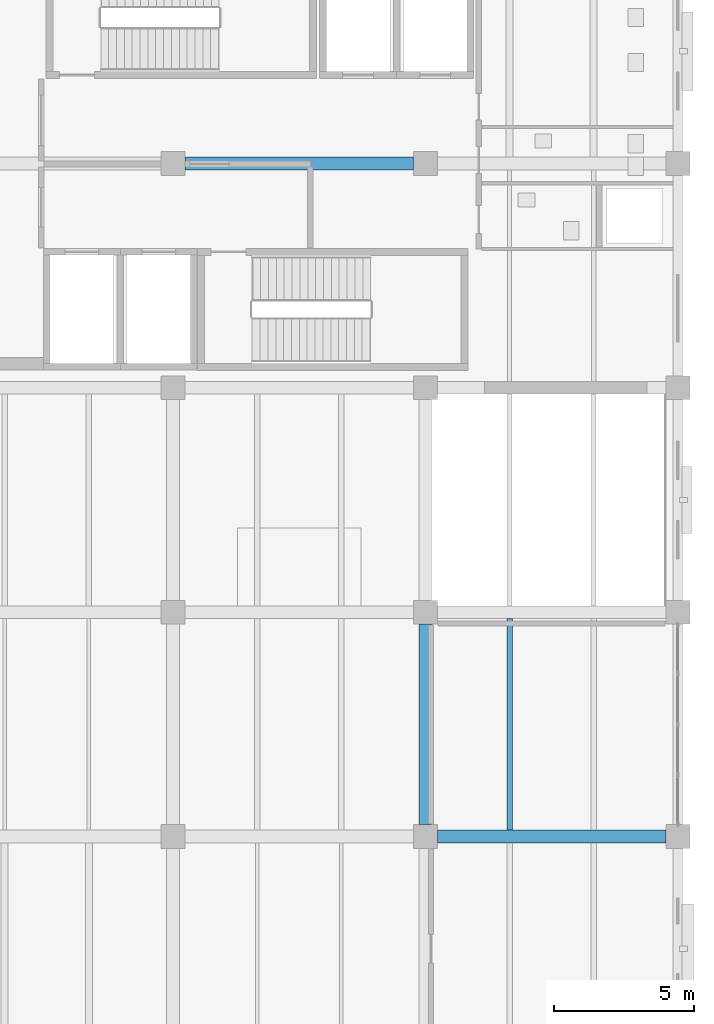
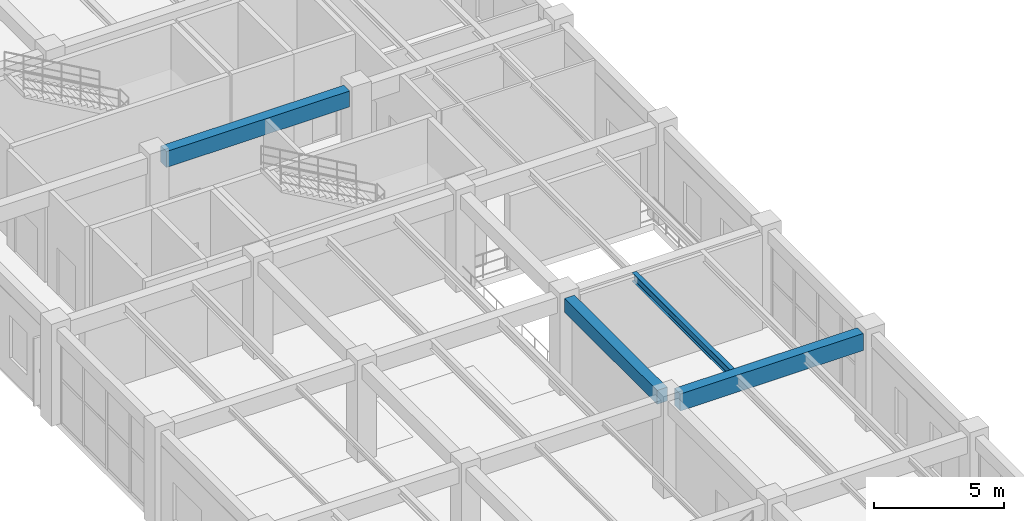
# One storey, part 123 of 178: 4 beams.
"""IFC4 building model written with IfcOpenShell, lengths in metres."""

import ifcopenshell
import ifcopenshell.guid

model = None  # the IFC model being written
_history = None  # IfcOwnerHistory: only IFC2X3 demands one
_inside = {}  # id of a spatial element -> (the spatial element, [elements in it])
_under = {}  # id of a project, library or spatial element -> (it, [spatial elements below it])
_declared = {}  # id of a project -> (the project, [libraries it declares])
_typed = {}  # id of a type object -> (the type object, [elements of that type])
_made_of = {}  # id of a material, layer set ... -> (it, [elements and type objects made of it])


def new_model(schema):
    """Start an empty IFC model of exactly this schema.

    Asked for "IFC4X3", IfcOpenShell would pick the latest addendum, in which some entities
    have other attributes; the version numbers below select the first issue.
    IFC2X3 requires an IfcOwnerHistory on every rooted entity: one is made here for all.
    """
    global model, _history
    if schema == "IFC4X3":
        model = ifcopenshell.file(schema_version=(4, 3, 0, 0))
    else:
        model = ifcopenshell.file(schema=schema)
    _inside.clear()
    _under.clear()
    _declared.clear()
    _typed.clear()
    _made_of.clear()
    _history = None
    if model.schema == "IFC2X3":
        org = make("IfcOrganization", Name="unknown")
        user = make(
            "IfcPersonAndOrganization",
            ThePerson=make("IfcPerson", FamilyName="unknown"),
            TheOrganization=org,
        )
        app = make(
            "IfcApplication",
            ApplicationDeveloper=org,
            Version="unknown",
            ApplicationFullName="unknown",
            ApplicationIdentifier="unknown",
        )
        _history = make(
            "IfcOwnerHistory",
            OwningUser=user,
            OwningApplication=app,
            ChangeAction="ADDED",
            CreationDate=0,
        )
    return model


def make(cls, **values):
    """One entity of the class cls with the attributes given. An attribute that is None is left unset."""
    return model.create_entity(
        cls, **{name: value for name, value in values.items() if value is not None}
    )


def rooted(cls, **values):
    """An entity with a GlobalId (a new one), such as an element, a storey or a relation."""
    return make(cls, GlobalId=ifcopenshell.guid.new(), OwnerHistory=_history, **values)


def si_unit(unit_type, name, prefix=None):
    """IfcSIUnit, for example si_unit("LENGTHUNIT", "METRE", prefix="MILLI")."""
    return make("IfcSIUnit", UnitType=unit_type, Prefix=prefix, Name=name)


def derived_unit(unit_type, elements):
    """IfcDerivedUnit: a product of units, each with its exponent."""
    return make(
        "IfcDerivedUnit",
        Elements=[
            make("IfcDerivedUnitElement", Unit=unit, Exponent=power)
            for unit, power in elements
        ],
        UnitType=unit_type,
    )


def assignment(units):
    """IfcUnitAssignment: the units of a project."""
    return None if units is None else make("IfcUnitAssignment", Units=units)


def point(xyz):
    """IfcCartesianPoint."""
    return None if xyz is None else make("IfcCartesianPoint", Coordinates=xyz)


def direction(xyz):
    """IfcDirection."""
    return None if xyz is None else make("IfcDirection", DirectionRatios=xyz)


def frame(location, z_axis=None, x_axis=None):
    """IfcAxis2Placement3D, a coordinate frame: its origin and axes. An axis left out is left unset."""
    return make(
        "IfcAxis2Placement3D",
        Location=point(location),
        Axis=direction(z_axis),
        RefDirection=direction(x_axis),
    )


def frame_2d(location, x_axis=None):
    """IfcAxis2Placement2D, a coordinate frame in the plane: its origin and x axis."""
    return make(
        "IfcAxis2Placement2D", Location=point(location), RefDirection=direction(x_axis)
    )


def origin():
    """The frame at (0, 0, 0) with its axes left unset."""
    return frame((0.0, 0.0, 0.0))


def origin_2d():
    """The frame at (0, 0) in the plane with its x axis left unset."""
    return frame_2d((0.0, 0.0))


def place(relative_to, where):
    """IfcLocalPlacement: puts the frame where relative to a parent placement (None: the world)."""
    return make(
        "IfcLocalPlacement", PlacementRelTo=relative_to, RelativePlacement=where
    )


def context(
    kind, dimensions, precision=None, world=None, true_north=None, identifier=None
):
    """IfcGeometricRepresentationContext, for example the 3D "Model" context."""
    return make(
        "IfcGeometricRepresentationContext",
        ContextIdentifier=identifier,
        ContextType=kind,
        CoordinateSpaceDimension=dimensions,
        Precision=precision,
        WorldCoordinateSystem=world,
        TrueNorth=true_north,
    )


def subcontext(parent, identifier, kind, view, scale=None):
    """IfcGeometricRepresentationSubContext, for example "Body" below "Model"."""
    return make(
        "IfcGeometricRepresentationSubContext",
        ContextIdentifier=identifier,
        ContextType=kind,
        ParentContext=parent,
        TargetScale=scale,
        TargetView=view,
    )


def project(units=None, contexts=None):
    """IfcProject with its units and contexts."""
    return rooted(
        "IfcProject",
        Name="project",
        RepresentationContexts=contexts,
        UnitsInContext=assignment(units),
    )


def spatial(cls, under=None, at=None, **own):
    """A site, building, storey or space (cls), placed at a placement, below another one or the project."""
    s = rooted(cls, ObjectPlacement=at, **own)
    if under is not None:
        _under.setdefault(under.id(), (under, []))[1].append(s)
    return s


def profile(cls, at=None, kind="AREA", **sizes):
    """A parametric profile (cls). Its sizes go by their IFC names, for example OverallWidth=200.0."""
    return make(cls, ProfileType=kind, Position=at, **sizes)


def rectangle(**sizes):
    """IfcRectangleProfileDef."""
    return profile("IfcRectangleProfileDef", **sizes)


def i_section(**sizes):
    """IfcIShapeProfileDef."""
    return profile("IfcIShapeProfileDef", **sizes)


def extrude(swept, where, along, depth):
    """IfcExtrudedAreaSolid: the profile swept, set in the frame where, extruded along a direction by depth."""
    return make(
        "IfcExtrudedAreaSolid",
        SweptArea=swept,
        Position=where,
        ExtrudedDirection=direction(along),
        Depth=depth,
    )


def shape(context_of_items, identifier, shape_type, items):
    """IfcShapeRepresentation: the items that make up one representation, for example the "Body"."""
    return make(
        "IfcShapeRepresentation",
        ContextOfItems=context_of_items,
        RepresentationIdentifier=identifier,
        RepresentationType=shape_type,
        Items=items,
    )


def material(Name=None, Category=None):
    """IfcMaterial."""
    return make("IfcMaterial", Name=Name, Category=Category)


def material_profile(
    of_material, cross_section, Name=None, Category=None, Priority=None
):
    """IfcMaterialProfile: a cross section and its material."""
    return make(
        "IfcMaterialProfile",
        Name=Name,
        Material=of_material,
        Profile=cross_section,
        Priority=Priority,
        Category=Category,
    )


def profile_set(profiles, Name=None, composite=None):
    """IfcMaterialProfileSet."""
    return make(
        "IfcMaterialProfileSet",
        Name=Name,
        MaterialProfiles=profiles,
        CompositeProfile=composite,
    )


def made_of(thing, what):
    """Note that an element or type object is made of a material, layer set ...; save() writes the relation."""
    if what is not None:
        _made_of.setdefault(what.id(), (what, []))[1].append(thing)
    return thing


def type_object(cls, material=None, **own):
    """A type object (cls), such as IfcWallType, which elements share."""
    return made_of(rooted(cls, **own), material)


def element(
    cls,
    number,
    at=None,
    inside=None,
    cuts=None,
    type_object=None,
    material=None,
    context=None,
    identifier="Body",
    shape_type=None,
    held_by="IfcProductDefinitionShape",
    body=None,
    shapes=None,
    **own,
):
    """One element of the class cls, such as IfcWall. Its Tag is "e" and its number.

    at: its placement. inside: the storey or other place that contains it. cuts: it is an
    opening in that element (IfcRelVoidsElement). A single representation is given by context,
    identifier, shape_type and body (its items); several are given by shapes. held_by: the class
    of the entity that holds the representations. save() writes the other relations.
    """
    e = rooted(cls, Tag="e%d" % number, ObjectPlacement=at, **own)
    if body is not None:
        shapes = [shape(context, identifier, shape_type, body)]
    if shapes is not None:
        e.Representation = make(held_by, Representations=shapes)
    if inside is not None:
        _inside.setdefault(inside.id(), (inside, []))[1].append(e)
    if cuts is not None:
        rooted(
            "IfcRelVoidsElement", RelatingBuildingElement=cuts, RelatedOpeningElement=e
        )
    if type_object is not None:
        _typed.setdefault(type_object.id(), (type_object, []))[1].append(e)
    return made_of(e, material)


def aggregate(whole, parts):
    """IfcRelAggregates: a whole, such as a stair, and the parts it consists of."""
    return rooted("IfcRelAggregates", RelatingObject=whole, RelatedObjects=parts)


def save(model, path):
    """Write the relations noted so far, then the file.

    IfcRelAggregates (storeys below a building ...), IfcRelContainedInSpatialStructure (elements
    in a storey), IfcRelDefinesByType, IfcRelAssociatesMaterial and IfcRelDeclares: one each for
    every whole, place, type object, material and project.
    """
    for whole, parts in _under.values():
        aggregate(whole, parts)
    for where, things in _inside.values():
        rooted(
            "IfcRelContainedInSpatialStructure",
            RelatedElements=things,
            RelatingStructure=where,
        )
    for kind, things in _typed.values():
        rooted("IfcRelDefinesByType", RelatedObjects=things, RelatingType=kind)
    for what, things in _made_of.values():
        rooted("IfcRelAssociatesMaterial", RelatedObjects=things, RelatingMaterial=what)
    for by, libraries in _declared.values():
        rooted("IfcRelDeclares", RelatingContext=by, RelatedDefinitions=libraries)
    model.write(path)


model = new_model("IFC4")

# Units and contexts
model_context = context("Model", 3, precision=1e-05, world=origin(), true_north=direction((0.0, 1.0)))
body_context = subcontext(model_context, "Body", "Model", "MODEL_VIEW")
ifc_project = project(units=[si_unit("LENGTHUNIT", "METRE"), si_unit("AREAUNIT", "SQUARE_METRE"), si_unit("VOLUMEUNIT", "CUBIC_METRE"), si_unit("PLANEANGLEUNIT", "RADIAN"), si_unit("MASSUNIT", "GRAM", prefix="KILO"), derived_unit("THERMALTRANSMITTANCEUNIT", [(si_unit("MASSUNIT", "GRAM", prefix="KILO"), 1), (si_unit("TIMEUNIT", "SECOND"), -3), (si_unit("THERMODYNAMICTEMPERATUREUNIT", "KELVIN"), -1)])], contexts=[model_context])

# Site, building, storey
site_placement = place(None, origin())
site = spatial("IfcSite", under=ifc_project, at=site_placement, CompositionType="ELEMENT")
building_placement = place(site_placement, origin())
building = spatial("IfcBuilding", under=site, at=building_placement, Name="Zhenchuan Archway Interchange", CompositionType="ELEMENT")
storey_placement = place(building_placement, frame((0.0, 0.0, 5.39990234375)))
storey = spatial("IfcBuildingStorey", under=building, at=storey_placement, Name="L01", CompositionType="ELEMENT", Elevation=5.39990234375)

# Beams
ifc_material_1 = material(Name="Concrete C40", Category="concrete")
ifc_material_profile_1 = material_profile(ifc_material_1, rectangle(XDim=0.449951171875, YDim=0.64990234375, at=origin_2d()), Name="RC 450x650")
ifc_profile_set_1 = profile_set([ifc_material_profile_1], Name="Concrete C40")
beam_type_1 = type_object("IfcBeamType", Name="BM_RC_450x650", PredefinedType="BEAM", material=ifc_profile_set_1)
beam_1_placement = place(storey_placement, frame((162.0, 32.425048828125, 4.18505859375), z_axis=(0.0, 1.0, 0.0), x_axis=(-1.0, 0.0, 0.0)))
element("IfcBeam", 1, at=beam_1_placement, inside=storey, type_object=beam_type_1, Name="Beam 19:E-F (L01)", PredefinedType="BEAM", context=body_context, shape_type="SweptSolid", body=[
    extrude(rectangle(XDim=0.449951171875, YDim=0.64990234375, at=origin_2d()), origin(), (0.0, 0.0, 1.0), 7.14990234375),
])
ifc_material_profile_2 = material_profile(ifc_material_1, rectangle(XDim=0.449951171875, YDim=0.75, at=origin_2d()), Name="RC 450x750")
ifc_profile_set_2 = profile_set([ifc_material_profile_2], Name="Concrete C40")
beam_type_2 = type_object("IfcBeamType", Name="BM_RC_450x750", PredefinedType="BEAM", material=ifc_profile_set_2)
beam_2_placement = place(storey_placement, frame((153.425048828125, 56.0, 4.135009765625), z_axis=(1.0, 0.0, 0.0), x_axis=(0.0, 1.0, 0.0)))
element("IfcBeam", 2, at=beam_2_placement, inside=storey, type_object=beam_type_2, Name="Beam H:18-19 (L01)", PredefinedType="BEAM", context=body_context, shape_type="SweptSolid", body=[
    extrude(rectangle(XDim=0.449951171875, YDim=0.75, at=origin_2d()), origin(), (0.0, 0.0, 1.0), 8.14990234375),
])
ifc_material_profile_3 = material_profile(ifc_material_1, rectangle(XDim=0.449951171875, YDim=0.800048828125, at=origin_2d()), Name="RC 450x800")
ifc_profile_set_3 = profile_set([ifc_material_profile_3], Name="Concrete C40")
beam_type_3 = type_object("IfcBeamType", Name="BM_RC_450x800", PredefinedType="BEAM", material=ifc_profile_set_3)
beam_3_placement = place(storey_placement, frame((162.425048828125, 32.0, 4.110107421875), z_axis=(1.0, 0.0, 0.0), x_axis=(0.0, 1.0, 0.0)))
element("IfcBeam", 3, at=beam_3_placement, inside=storey, type_object=beam_type_3, Name="Beam E:19-20 (L01)", PredefinedType="BEAM", context=body_context, shape_type="SweptSolid", body=[
    extrude(rectangle(XDim=0.449951171875, YDim=0.800048828125, at=origin_2d()), origin(), (0.0, 0.0, 1.0), 8.14990234375),
])
ifc_material_2 = material(Name="Steel Q355", Category="steel")
ifc_material_profile_4 = material_profile(ifc_material_2, i_section(OverallWidth=0.199951171875, OverallDepth=0.39990234375, WebThickness=0.008056640625, FlangeThickness=0.012939453125, FilletRadius=0.01611328125, at=origin_2d()), Name="HN 400x200")
ifc_profile_set_4 = profile_set([ifc_material_profile_4], Name="Steel Q355")
beam_type_4 = type_object("IfcBeamType", Name="JST_STL_HN400", PredefinedType="JOIST", material=ifc_profile_set_4)
beam_4_placement = place(storey_placement, frame((165.0, 32.22509765625, 4.31005859375), z_axis=(0.0, 1.0, 0.0), x_axis=(-1.0, 0.0, 0.0)))
element("IfcBeam", 4, at=beam_4_placement, inside=storey, type_object=beam_type_4, Name="Secondary joist 19-20/E-F #1 (L01)", PredefinedType="JOIST", context=body_context, shape_type="SweptSolid", body=[
    extrude(i_section(OverallWidth=0.199951171875, OverallDepth=0.39990234375, WebThickness=0.008056640625, FlangeThickness=0.012939453125, FilletRadius=0.01611328125, at=origin_2d()), origin(), (0.0, 0.0, 1.0), 7.5498046875),
])

save(model, "model.ifc")
